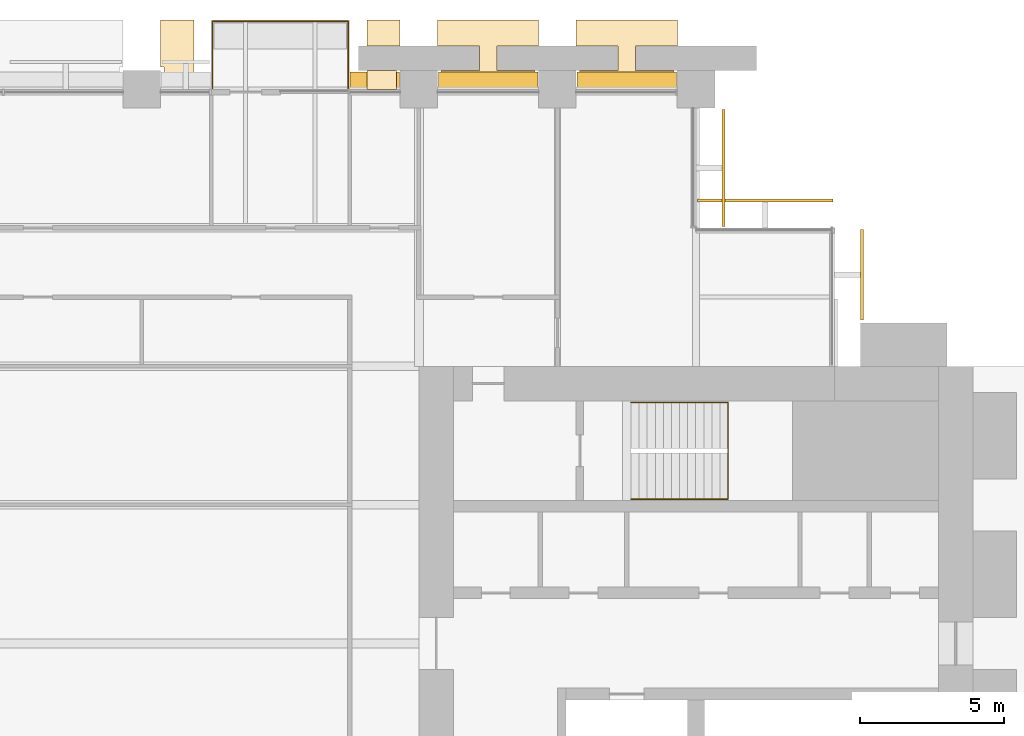
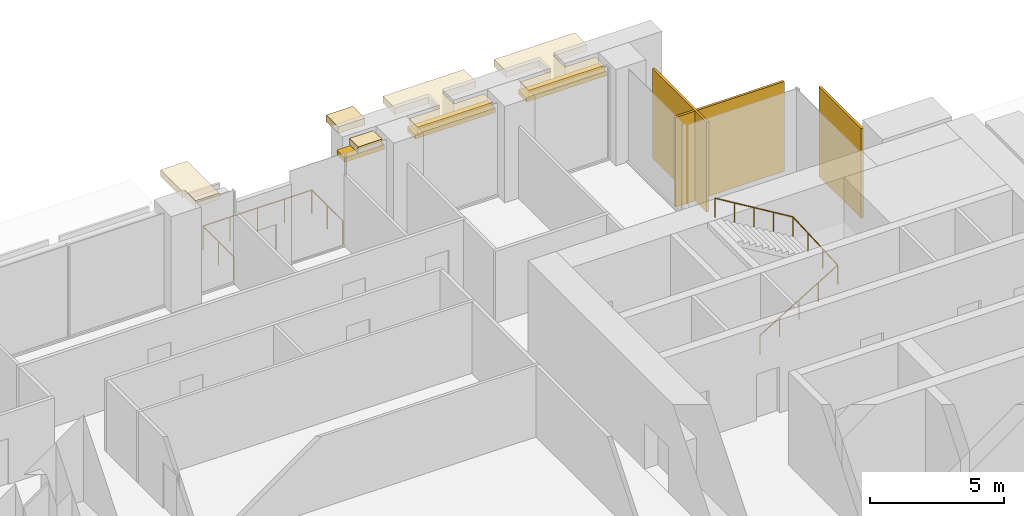
# One storey, part 15 of 15: 8 coverings, 3 shading devices, 2 railings.
"""IFC4 building model written with IfcOpenShell, lengths in metres."""

from ifc_helpers import new_model, si_unit, direction, frame, origin, origin_2d, place, context, subcontext, project, spatial, polyline, rectangle, circle, outline, extrude, material, layer, layer_set, type_object, element, save


model = new_model("IFC4")

# Units and contexts
model_context = context("Model", 3, precision=1e-05, world=origin(), true_north=direction((0.0, 1.0)))
body_context = subcontext(model_context, "Body", "Model", "MODEL_VIEW")
ifc_project = project(units=[si_unit("LENGTHUNIT", "METRE"), si_unit("AREAUNIT", "SQUARE_METRE"), si_unit("VOLUMEUNIT", "CUBIC_METRE"), si_unit("PLANEANGLEUNIT", "RADIAN"), si_unit("MASSUNIT", "GRAM", prefix="KILO")], contexts=[model_context])

# Site, building, storey
site_placement = place(None, origin())
site = spatial("IfcSite", under=ifc_project, at=site_placement, CompositionType="ELEMENT")
building_placement = place(site_placement, origin())
building = spatial("IfcBuilding", under=site, at=building_placement, Name="Baori Bourse Tower", CompositionType="ELEMENT")
storey_placement = place(building_placement, frame((0.0, 0.0, 34.60009765625)))
storey = spatial("IfcBuildingStorey", under=building, at=storey_placement, Name="L06", CompositionType="ELEMENT", Elevation=34.60009765625)

# Coverings
ifc_material_1 = material(Name="Pale anodised aluminium", Category="aluminium")
covering_type_1 = type_object("IfcCoveringType", Name="BD1 Pale metal band", PredefinedType="CLADDING", material=ifc_material_1)
covering_1_placement = place(storey_placement, frame((0.0, 0.0, 3.93994140625)))
element("IfcCovering", 1, at=covering_1_placement, inside=storey, type_object=covering_type_1, Name="Pale projecting band L06 2", PredefinedType="CLADDING", context=body_context, shape_type="SweptSolid", body=[
    extrude(outline(polyline([(43.969970703125, 48.0), (47.22998046875, 48.0), (47.22998046875, 48.64990234375), (45.89990234375, 48.64990234375), (45.89990234375, 49.5), (47.35009765625, 49.5), (47.35009765625, 50.39990234375), (43.85009765625, 50.39990234375), (43.85009765625, 49.5), (45.300048828125, 49.5), (45.300048828125, 48.64990234375), (43.969970703125, 48.64990234375), (43.969970703125, 48.0)])), origin(), (0.0, 0.0, 1.0), 0.300048828125),
])
covering_2_placement = place(storey_placement, frame((0.0, 0.0, 3.93994140625)))
element("IfcCovering", 2, at=covering_2_placement, inside=storey, type_object=covering_type_1, Name="Pale projecting band L06 3", PredefinedType="CLADDING", context=body_context, shape_type="SweptSolid", body=[
    extrude(outline(polyline([(39.169921875, 48.0), (42.429931640625, 48.0), (42.429931640625, 48.64990234375), (41.10009765625, 48.64990234375), (41.10009765625, 49.5), (42.550048828125, 49.5), (42.550048828125, 50.39990234375), (39.050048828125, 50.39990234375), (39.050048828125, 49.5), (40.5, 49.5), (40.5, 48.64990234375), (39.169921875, 48.64990234375), (39.169921875, 48.0)])), origin(), (0.0, 0.0, 1.0), 0.300048828125),
])
covering_3_placement = place(storey_placement, frame((0.0, 0.0, 3.93994140625)))
element("IfcCovering", 3, at=covering_3_placement, inside=storey, type_object=covering_type_1, Name="Pale projecting band L06 4", PredefinedType="CLADDING", context=body_context, shape_type="SweptSolid", body=[
    extrude(outline(polyline([(37.75, 50.39990234375), (36.60009765625, 50.39990234375), (36.60009765625, 49.5), (37.75, 49.5), (37.75, 50.39990234375)])), origin(), (0.0, 0.0, 1.0), 0.300048828125),
])
covering_4_placement = place(storey_placement, frame((0.0, 0.0, 3.93994140625)))
element("IfcCovering", 4, at=covering_4_placement, inside=storey, type_object=covering_type_1, Name="Pale projecting band L06 5", PredefinedType="CLADDING", context=body_context, shape_type="SweptSolid", body=[
    extrude(outline(polyline([(36.60009765625, 48.0), (37.6298828125, 48.0), (37.6298828125, 48.64990234375), (36.60009765625, 48.64990234375), (36.60009765625, 48.0)])), origin(), (0.0, 0.0, 1.0), 0.300048828125),
])
covering_5_placement = place(storey_placement, frame((0.0, 0.0, 3.93994140625)))
element("IfcCovering", 5, at=covering_5_placement, inside=storey, type_object=covering_type_1, Name="Pale projecting band L06 6", PredefinedType="CLADDING", context=body_context, shape_type="SweptSolid", body=[
    extrude(outline(polyline([(29.570068359375, 48.0), (30.60009765625, 48.0), (30.60009765625, 50.39990234375), (29.449951171875, 50.39990234375), (29.449951171875, 48.77001953125), (29.570068359375, 48.77001953125), (29.570068359375, 48.0)])), origin(), (0.0, 0.0, 1.0), 0.300048828125),
])

# Shading devices
ifc_material_2 = material(Name="Concrete f'c 40 MPa", Category="concrete")
ifc_layer_1 = layer(ifc_material_2, 0.199951171875)
ifc_layer_set_1 = layer_set([ifc_layer_1], Name="BS1 Brise-soleil ledge")
shading_device_type = type_object("IfcShadingDeviceType", Name="BS1 Brise-soleil ledge", PredefinedType="USERDEFINED", material=ifc_layer_set_1)
for number, where, z_axis, x_axis, name in (
    (6, (45.60009765625, 48.300048828125, 3.73974609375), (0.0, 0.0, 1.0), (-1.0, 0.0, 0.0), "Brise-soleil ledge L06 1"),
    (7, (40.800048828125, 48.300048828125, 3.73974609375), (0.0, 0.0, 1.0), (-1.0, 0.0, 0.0), "Brise-soleil ledge L06 2"),
):
    element("IfcShadingDevice", number, at=place(storey_placement, frame(where, z_axis=z_axis, x_axis=x_axis)), inside=storey, type_object=shading_device_type, Name=name, ObjectType="BRISE SOLEIL", PredefinedType="USERDEFINED", context=body_context, shape_type="SweptSolid", body=[
        extrude(rectangle(XDim=3.4599609375, YDim=0.60009765625, at=origin_2d()), origin(), (0.0, 0.0, 1.0), 0.199951171875),
    ])
shading_device_placement = place(storey_placement, frame((36.875, 48.300048828125, 3.73974609375), z_axis=(0.0, 0.0, 1.0), x_axis=(-1.0, 0.0, 0.0)))
element("IfcShadingDevice", 8, at=shading_device_placement, inside=storey, type_object=shading_device_type, Name="Brise-soleil ledge L06 3", ObjectType="BRISE SOLEIL", PredefinedType="USERDEFINED", context=body_context, shape_type="SweptSolid", body=[
    extrude(rectangle(XDim=1.7099609375, YDim=0.60009765625, at=origin_2d()), origin(), (0.0, 0.0, 1.0), 0.199951171875),
])

# Railings
ifc_material_3 = material(Name="Powder-coated steel balustrade", Category="steel")
railing_type_1 = type_object("IfcRailingType", Name="Core stair handrail", PredefinedType="HANDRAIL", material=ifc_material_3)
railing_1_placement = place(storey_placement, frame((45.75, 33.800048828125, 0.169189453125)))
element("IfcRailing", 9, at=railing_1_placement, inside=storey, type_object=railing_type_1, Name="L06 ST4 stair handrail 1", PredefinedType="HANDRAIL", context=body_context, shape_type="SweptSolid", body=[
    extrude(circle(Radius=0.02392578125, at=origin_2d()), frame((0.0, 0.0, 0.8759765625), z_axis=(0.855836976705, 0.0, 0.517245656632), x_axis=(0.0, 1.0, 0.0)), (0.0, 0.0, 1.0), 3.926025390625),
    extrude(circle(Radius=0.02392578125, at=origin_2d()), frame((3.360107421875, 0.0, 2.90673828125), z_axis=(0.0, 0.998726980575, 0.050442227064), x_axis=(-1.0, 0.0, 0.0)), (0.0, 0.0, 1.0), 3.35400390625),
    extrude(circle(Radius=0.02392578125, at=origin_2d()), frame((3.360107421875, 3.349853515625, 3.07568359375), z_axis=(-0.855836976705, 0.0, 0.517245656632), x_axis=(0.0, -1.0, 0.0)), (0.0, 0.0, 1.0), 3.926025390625),
    extrude(circle(Radius=0.02099609375, at=origin_2d()), origin(), (0.0, 0.0, 1.0), 0.851806640625),
    extrude(circle(Radius=0.02099609375, at=origin_2d()), frame((0.840087890625, 0.0, 0.5078125)), (0.0, 0.0, 1.0), 0.851806640625),
    extrude(circle(Radius=0.02099609375, at=origin_2d()), frame((1.68017578125, 0.0, 1.015380859375)), (0.0, 0.0, 1.0), 0.851806640625),
    extrude(circle(Radius=0.02099609375, at=origin_2d()), frame((2.52001953125, 0.0, 1.52294921875)), (0.0, 0.0, 1.0), 0.851806640625),
    extrude(circle(Radius=0.02099609375, at=origin_2d()), frame((3.360107421875, 0.0, 2.03076171875)), (0.0, 0.0, 1.0), 0.851806640625),
    extrude(circle(Radius=0.02099609375, at=origin_2d()), frame((3.360107421875, 1.11669921875, 2.087158203125)), (0.0, 0.0, 1.0), 0.851806640625),
    extrude(circle(Radius=0.02099609375, at=origin_2d()), frame((3.360107421875, 2.233154296875, 2.1435546875)), (0.0, 0.0, 1.0), 0.851806640625),
    extrude(circle(Radius=0.02099609375, at=origin_2d()), frame((3.360107421875, 3.349853515625, 2.199951171875)), (0.0, 0.0, 1.0), 0.851806640625),
    extrude(circle(Radius=0.02099609375, at=origin_2d()), frame((2.52001953125, 3.349853515625, 2.70751953125)), (0.0, 0.0, 1.0), 0.851806640625),
    extrude(circle(Radius=0.02099609375, at=origin_2d()), frame((1.68017578125, 3.349853515625, 3.21533203125)), (0.0, 0.0, 1.0), 0.851806640625),
    extrude(circle(Radius=0.02099609375, at=origin_2d()), frame((0.840087890625, 3.349853515625, 3.72314453125)), (0.0, 0.0, 1.0), 0.851806640625),
    extrude(circle(Radius=0.02099609375, at=origin_2d()), frame((0.0, 3.349853515625, 4.230712890625)), (0.0, 0.0, 1.0), 0.851806640625),
])
ifc_material_4 = material(Name="Stainless steel", Category="steel")
railing_type_2 = type_object("IfcRailingType", Name="GD1 Guard", PredefinedType="GUARDRAIL", material=ifc_material_4)
railing_2_placement = place(storey_placement, frame((31.25, 48.030029296875, 0.0)))
element("IfcRailing", 10, at=railing_2_placement, inside=storey, type_object=railing_type_2, Name="Guard balcony N L06 3", PredefinedType="GUARDRAIL", context=body_context, shape_type="SweptSolid", body=[
    extrude(circle(Radius=0.02392578125, at=origin_2d()), frame((0.0, 0.0, 1.076171875), z_axis=(0.0, 1.0, 0.0), x_axis=(-1.0, 0.0, 0.0)), (0.0, 0.0, 1.0), 2.320068359375),
    extrude(circle(Radius=0.02392578125, at=origin_2d()), frame((0.0, 2.320068359375, 1.076171875), z_axis=(1.0, 0.0, 0.0), x_axis=(0.0, 1.0, 0.0)), (0.0, 0.0, 1.0), 4.699951171875),
    extrude(circle(Radius=0.02392578125, at=origin_2d()), frame((4.699951171875, 2.320068359375, 1.076171875), z_axis=(0.0, -1.0, 0.0), x_axis=(1.0, 0.0, 0.0)), (0.0, 0.0, 1.0), 2.320068359375),
    extrude(circle(Radius=0.02099609375, at=origin_2d()), origin(), (0.0, 0.0, 1.0), 1.052001953125),
    extrude(circle(Radius=0.02099609375, at=origin_2d()), frame((0.0, 1.16015625, 0.0)), (0.0, 0.0, 1.0), 1.052001953125),
    extrude(circle(Radius=0.02099609375, at=origin_2d()), frame((0.0, 2.320068359375, 0.0)), (0.0, 0.0, 1.0), 1.052001953125),
    extrude(circle(Radius=0.02099609375, at=origin_2d()), frame((1.175048828125, 2.320068359375, 0.0)), (0.0, 0.0, 1.0), 1.052001953125),
    extrude(circle(Radius=0.02099609375, at=origin_2d()), frame((2.35009765625, 2.320068359375, 0.0)), (0.0, 0.0, 1.0), 1.052001953125),
    extrude(circle(Radius=0.02099609375, at=origin_2d()), frame((3.52490234375, 2.320068359375, 0.0)), (0.0, 0.0, 1.0), 1.052001953125),
    extrude(circle(Radius=0.02099609375, at=origin_2d()), frame((4.699951171875, 2.320068359375, 0.0)), (0.0, 0.0, 1.0), 1.052001953125),
    extrude(circle(Radius=0.02099609375, at=origin_2d()), frame((4.699951171875, 1.16015625, 0.0)), (0.0, 0.0, 1.0), 1.052001953125),
    extrude(circle(Radius=0.02099609375, at=origin_2d()), frame((4.699951171875, 0.0, 0.0)), (0.0, 0.0, 1.0), 1.052001953125),
])

# Coverings
ifc_material_5 = material(Name="Pale anodised aluminium", Category="aluminium")
ifc_layer_2 = layer(ifc_material_5, 0.10009765625)
ifc_layer_set_2 = layer_set([ifc_layer_2], Name="OS3 Outer skin screen panel")
covering_type_2 = type_object("IfcCoveringType", Name="OS3 Outer skin screen panel", PredefinedType="CLADDING", material=ifc_layer_set_2)
covering_6_placement = place(storey_placement, frame((0.0, 0.0, -0.16015625)))
element("IfcCovering", 11, at=covering_6_placement, inside=storey, type_object=covering_type_2, Name="Outer skin screen L06 1", PredefinedType="CLADDING", context=body_context, shape_type="SweptSolid", body=[
    extrude(outline(polyline([(53.699951171875, 43.14990234375), (53.699951171875, 40.0), (53.800048828125, 40.0), (53.800048828125, 43.14990234375), (53.699951171875, 43.14990234375)])), origin(), (0.0, 0.0, 1.0), 4.10009765625),
])
covering_7_placement = place(storey_placement, frame((0.0, 0.0, -0.16015625)))
element("IfcCovering", 12, at=covering_7_placement, inside=storey, type_object=covering_type_2, Name="Outer skin screen L06 2", PredefinedType="CLADDING", context=body_context, shape_type="SweptSolid", body=[
    extrude(outline(polyline([(48.050048828125, 44.10009765625), (52.75, 44.10009765625), (52.75, 44.199951171875), (48.050048828125, 44.199951171875), (48.050048828125, 44.10009765625)])), origin(), (0.0, 0.0, 1.0), 4.10009765625),
])
covering_8_placement = place(storey_placement, frame((0.0, 0.0, -0.16015625)))
element("IfcCovering", 13, at=covering_8_placement, inside=storey, type_object=covering_type_2, Name="Outer skin screen L06 3", PredefinedType="CLADDING", context=body_context, shape_type="SweptSolid", body=[
    extrude(outline(polyline([(48.89990234375, 47.300048828125), (48.89990234375, 43.25), (49.0, 43.25), (49.0, 47.300048828125), (48.89990234375, 47.300048828125)])), origin(), (0.0, 0.0, 1.0), 4.10009765625),
])

save(model, "model.ifc")
